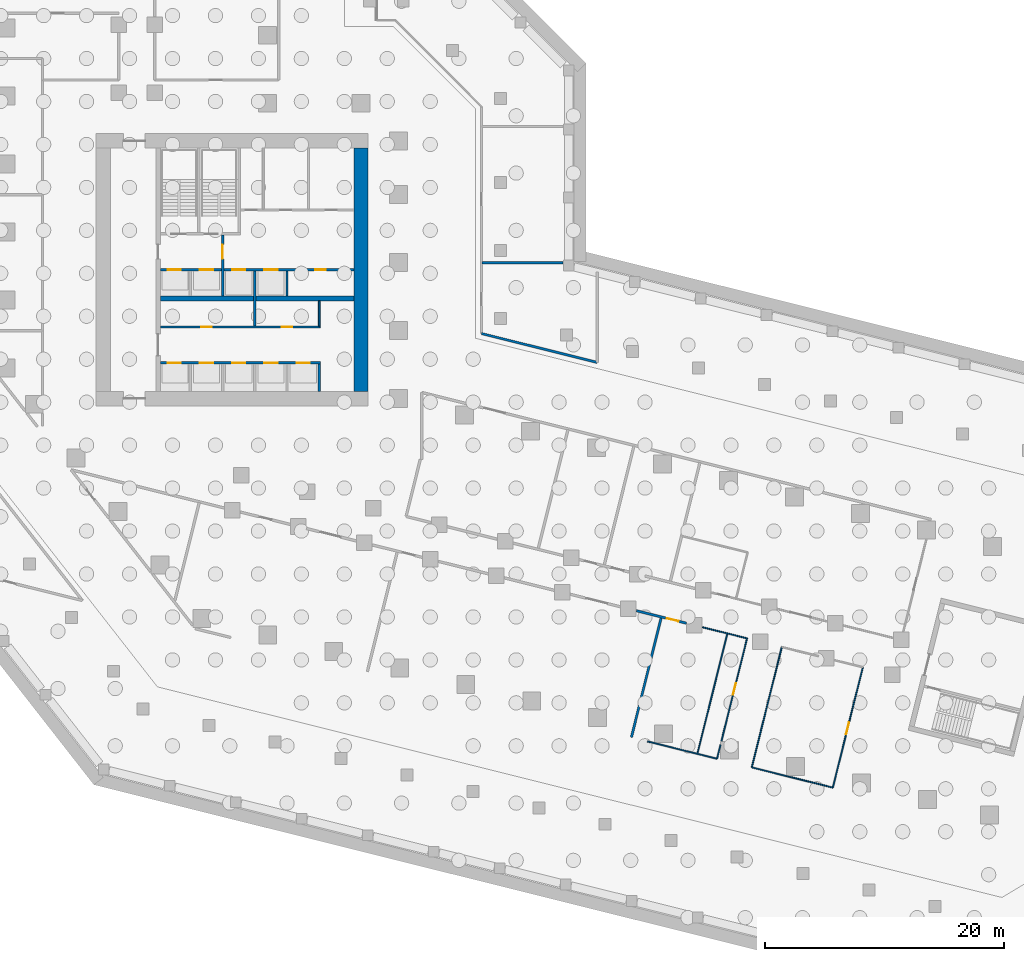
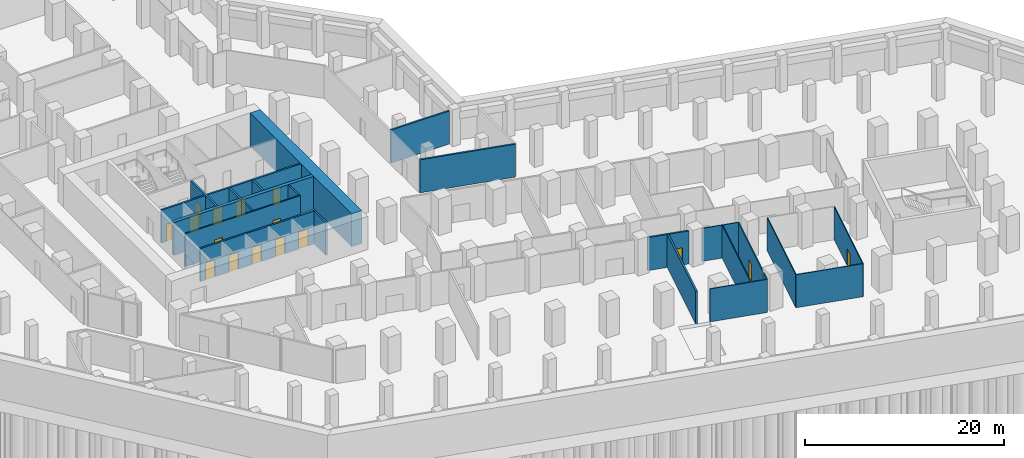
# One storey, part 7 of 15: 22 walls, 16 doors, 16 openings.
"""IFC4 building model written with IfcOpenShell, lengths in metres."""

from ifc_helpers import new_model, si_unit, direction, frame, frame_2d, origin, place, context, subcontext, project, spatial, rectangle, extrude, material, layer, layer_set, type_object, element, fill, save


model = new_model("IFC4")

# Units and contexts
model_context = context("Model", 3, precision=1e-05, world=origin(), true_north=direction((0.0, 1.0)))
body_context = subcontext(model_context, "Body", "Model", "MODEL_VIEW")
ifc_project = project(units=[si_unit("LENGTHUNIT", "METRE"), si_unit("AREAUNIT", "SQUARE_METRE"), si_unit("VOLUMEUNIT", "CUBIC_METRE"), si_unit("PLANEANGLEUNIT", "RADIAN"), si_unit("MASSUNIT", "GRAM", prefix="KILO")], contexts=[model_context])

# Site, building, storey
site_placement = place(None, origin())
site = spatial("IfcSite", under=ifc_project, at=site_placement, CompositionType="ELEMENT")
building_placement = place(site_placement, origin())
building = spatial("IfcBuilding", under=site, at=building_placement, Name="Meshkara Civic Tower", CompositionType="ELEMENT")
storey_placement = place(building_placement, frame((0.0, 0.0, -9.0)))
storey = spatial("IfcBuildingStorey", under=building, at=storey_placement, Name="B2", CompositionType="ELEMENT", Elevation=-9.0)

# Wall, openings, doors
ifc_material_1 = material(Name="Blockwork", Category="masonry")
ifc_layer_1 = layer(ifc_material_1, 0.14990234375)
ifc_layer_set_1 = layer_set([ifc_layer_1], Name="Core partition 150")
wall_type_1 = type_object("IfcWallType", Name="Core partition 150", PredefinedType="PARTITIONING", material=ifc_layer_set_1)
wall_1_placement = place(storey_placement, frame((13.39990234375, 20.699951171875, 0.0), z_axis=(0.0, 0.0, 1.0), x_axis=(1.0, 0.0, 0.0)))
wall_1 = element("IfcWall", 1, at=wall_1_placement, inside=storey, type_object=wall_type_1, Name="B2-C006", PredefinedType="PARTITIONING", context=body_context, shape_type="SweptSolid", body=[
    extrude(rectangle(XDim=13.375, YDim=0.14990234375, at=frame_2d((6.6875, 0.0))), origin(), (0.0, 0.0, 1.0), 4.050048828125),
])
opening_1_placement = place(wall_1_placement, frame((3.39990234375, 0.0, 0.0)))
opening_1 = element("IfcOpeningElement", 2, at=opening_1_placement, cuts=wall_1, Name="Opening B2-K010", PredefinedType="OPENING", context=body_context, shape_type="SweptSolid", body=[
    extrude(rectangle(XDim=0.89990234375, YDim=2.10009765625, at=frame_2d((0.449951171875, 1.050048828125))), frame((0.0, 0.0849609375, 0.0), z_axis=(0.0, -1.0, 0.0), x_axis=(1.0, 0.0, 0.0)), (0.0, 0.0, 1.0), 0.169921875),
])
opening_2_placement = place(wall_1_placement, frame((10.14990234375, 0.0, 0.0)))
opening_2 = element("IfcOpeningElement", 3, at=opening_2_placement, cuts=wall_1, Name="Opening B2-K011", PredefinedType="OPENING", context=body_context, shape_type="SweptSolid", body=[
    extrude(rectangle(XDim=0.89990234375, YDim=2.10009765625, at=frame_2d((0.449951171875, 1.050048828125))), frame((0.0, 0.0849609375, 0.0), z_axis=(0.0, -1.0, 0.0), x_axis=(1.0, 0.0, 0.0)), (0.0, 0.0, 1.0), 0.169921875),
])
ifc_material_2 = material(Name="Timber door leaf in steel frame", Category="steel")
door_type_1 = type_object("IfcDoorType", Name="Core room door 900", OperationType="SINGLE_SWING_LEFT", PredefinedType="DOOR", material=ifc_material_2)
door_1_placement = place(opening_1_placement, origin())
door_1 = element("IfcDoor", 4, at=door_1_placement, inside=storey, type_object=door_type_1, Name="B2-K010", OperationType="SINGLE_SWING_RIGHT", OverallHeight=2.10009765625, OverallWidth=0.89990234375, PredefinedType="DOOR", context=body_context, shape_type="SweptSolid", body=[
    extrude(rectangle(XDim=0.89990234375, YDim=2.10009765625, at=frame_2d((0.449951171875, 1.050048828125))), frame((0.0, 0.02490234375, 0.0), z_axis=(0.0, -1.0, 0.0), x_axis=(1.0, 0.0, 0.0)), (0.0, 0.0, 1.0), 0.050048828125),
])
fill(opening_1, door_1)
door_2_placement = place(opening_2_placement, origin())
door_2 = element("IfcDoor", 5, at=door_2_placement, inside=storey, type_object=door_type_1, Name="B2-K011", OperationType="SINGLE_SWING_RIGHT", OverallHeight=2.10009765625, OverallWidth=0.89990234375, PredefinedType="DOOR", context=body_context, shape_type="SweptSolid", body=[
    extrude(rectangle(XDim=0.89990234375, YDim=2.10009765625, at=frame_2d((0.449951171875, 1.050048828125))), frame((0.0, 0.02490234375, 0.0), z_axis=(0.0, -1.0, 0.0), x_axis=(1.0, 0.0, 0.0)), (0.0, 0.0, 1.0), 0.050048828125),
])
fill(opening_2, door_2)

# Walls
wall_2_placement = place(storey_placement, frame((26.699951171875, 20.77490234375, 0.0), z_axis=(0.0, 0.0, 1.0), x_axis=(0.0, 1.0, 0.0)))
element("IfcWall", 6, at=wall_2_placement, inside=storey, type_object=wall_type_1, Name="B2-C025", PredefinedType="PARTITIONING", context=body_context, shape_type="SweptSolid", body=[
    extrude(rectangle(XDim=2.125, YDim=0.14990234375, at=frame_2d((1.0625, 0.0))), origin(), (0.0, 0.0, 1.0), 4.050048828125),
])
ifc_material_3 = material(Name="Concrete C80", Category="concrete")
ifc_layer_2 = layer(ifc_material_3, 1.199951171875)
ifc_layer_set_2 = layer_set([ifc_layer_2], Name="Core ring wall 1200 C80")
wall_type_2 = type_object("IfcWallType", Name="Core ring wall 1200 C80", PredefinedType="SHEAR", material=ifc_layer_set_2)
wall_3_placement = place(storey_placement, frame((30.199951171875, 15.300048828125, 0.0), z_axis=(0.0, 0.0, 1.0), x_axis=(0.0, 1.0, 0.0)))
element("IfcWall", 7, at=wall_3_placement, inside=storey, type_object=wall_type_2, Name="B2-C004", PredefinedType="SHEAR", context=body_context, shape_type="SweptSolid", body=[
    extrude(rectangle(XDim=20.39990234375, YDim=1.199951171875, at=frame_2d((10.199951171875, 0.0))), origin(), (0.0, 0.0, 1.0), 4.050048828125),
])
ifc_material_4 = material(Name="Concrete C80", Category="concrete")
ifc_layer_3 = layer(ifc_material_4, 0.39990234375)
ifc_layer_set_3 = layer_set([ifc_layer_3], Name="Core shear wall 400 C80")
wall_type_3 = type_object("IfcWallType", Name="Core shear wall 400 C80", PredefinedType="SHEAR", material=ifc_layer_set_3)
wall_4_placement = place(storey_placement, frame((13.39990234375, 23.10009765625, 0.0), z_axis=(0.0, 0.0, 1.0), x_axis=(1.0, 0.0, 0.0)))
element("IfcWall", 8, at=wall_4_placement, inside=storey, type_object=wall_type_3, Name="B2-C007", PredefinedType="SHEAR", context=body_context, shape_type="SweptSolid", body=[
    extrude(rectangle(XDim=16.2001953125, YDim=0.39990234375, at=frame_2d((8.10009765625, 0.0))), origin(), (0.0, 0.0, 1.0), 4.050048828125),
])
ifc_material_5 = material(Name="Corridor wall 100")
ifc_layer_4 = layer(ifc_material_5, 0.10009765625)
ifc_layer_set_4 = layer_set([ifc_layer_4], Name="Corridor wall 100")
wall_type_4 = type_object("IfcWallType", Name="Corridor wall 100", PredefinedType="PARTITIONING", material=ifc_layer_set_4)
wall_5_placement = place(storey_placement, frame((54.2119140625, -14.031982421875, 0.0), z_axis=(0.0, 0.0, 1.0), x_axis=(0.970324004364, -0.241808450132, 0.0)))
element("IfcWall", 9, at=wall_5_placement, inside=storey, type_object=wall_type_4, Name="B2-R062", PredefinedType="PARTITIONING", context=body_context, shape_type="SweptSolid", body=[
    extrude(rectangle(XDim=6.00439453125, YDim=0.10009765625, at=frame_2d((3.002197265625, 0.0))), origin(), (0.0, 0.0, 1.0), 4.050048828125),
])
wall_6_placement = place(storey_placement, frame((58.80908203125, -4.4599609375, 0.0), z_axis=(0.0, 0.0, 1.0), x_axis=(0.97033198058, -0.241776441083, 0.0)))
element("IfcWall", 10, at=wall_6_placement, inside=storey, type_object=wall_type_4, Name="B2-R063", PredefinedType="PARTITIONING", context=body_context, shape_type="SweptSolid", body=[
    extrude(rectangle(XDim=3.859375, YDim=0.10009765625, at=frame_2d((1.9296875, 0.0))), origin(), (0.0, 0.0, 1.0), 4.050048828125),
])
wall_7_placement = place(storey_placement, frame((60.326904296875, -14.324951171875, 0.0), z_axis=(0.0, 0.0, 1.0), x_axis=(-0.241814119599, -0.970322591493, 0.0)))
element("IfcWall", 11, at=wall_7_placement, inside=storey, type_object=wall_type_4, Name="B2-R065", PredefinedType="PARTITIONING", context=body_context, shape_type="SweptSolid", body=[
    extrude(rectangle(XDim=1.1943359375, YDim=0.10009765625, at=frame_2d((0.59716796875, 0.0))), origin(), (0.0, 0.0, 1.0), 4.050048828125),
])

# Wall, opening, door
wall_8_placement = place(storey_placement, frame((62.553955078125, -5.39306640625, 0.0), z_axis=(0.0, 0.0, 1.0), x_axis=(-0.2419526798, -0.970288050394, 0.0)))
wall_8 = element("IfcWall", 12, at=wall_8_placement, inside=storey, type_object=wall_type_4, Name="B2-R066", PredefinedType="PARTITIONING", context=body_context, shape_type="SweptSolid", body=[
    extrude(rectangle(XDim=8.869384765625, YDim=0.10009765625, at=frame_2d((4.4345703125, 0.0))), origin(), (0.0, 0.0, 1.0), 4.050048828125),
])
opening_3_placement = place(wall_8_placement, frame((3.8798828125, 0.0, 0.0)))
opening_3 = element("IfcOpeningElement", 13, at=opening_3_placement, cuts=wall_8, Name="Opening B2-P002", PredefinedType="OPENING", context=body_context, shape_type="SweptSolid", body=[
    extrude(rectangle(XDim=1.0, YDim=2.10009765625, at=frame_2d((0.5, 1.050048828125))), frame((0.0, 0.06005859375, 0.0), z_axis=(0.0, -1.0, 0.0), x_axis=(1.0, 0.0, 0.0)), (0.0, 0.0, 1.0), 0.1201171875),
])
ifc_material_6 = material(Name="Door 1000 x 2100")
door_type_2 = type_object("IfcDoorType", Name="Door 1000 x 2100", OperationType="SINGLE_SWING_LEFT", PredefinedType="DOOR", material=ifc_material_6)
door_3_placement = place(opening_3_placement, origin())
door_3 = element("IfcDoor", 14, at=door_3_placement, inside=storey, type_object=door_type_2, Name="B2-P002", OperationType="SINGLE_SWING_RIGHT", OverallHeight=2.10009765625, OverallWidth=1.0, PredefinedType="DOOR", context=body_context, shape_type="SweptSolid", body=[
    extrude(rectangle(XDim=1.0, YDim=2.10009765625, at=frame_2d((0.5, 1.050048828125))), frame((0.0, 0.02490234375, 0.0), z_axis=(0.0, -1.0, 0.0), x_axis=(1.0, 0.0, 0.0)), (0.0, 0.0, 1.0), 0.050048828125),
])
fill(opening_3, door_3)

# Walls
wall_9_placement = place(storey_placement, frame((62.947998046875, -16.2099609375, 0.0), z_axis=(0.0, 0.0, 1.0), x_axis=(0.241933513219, 0.970292829604, 0.0)))
element("IfcWall", 15, at=wall_9_placement, inside=storey, type_object=wall_type_4, Name="B2-R067", PredefinedType="PARTITIONING", context=body_context, shape_type="SweptSolid", body=[
    extrude(rectangle(XDim=10.39990234375, YDim=0.10009765625, at=frame_2d((5.199951171875, 0.0))), origin(), (0.0, 0.0, 1.0), 4.050048828125),
])
wall_10_placement = place(storey_placement, frame((69.740966796875, -17.903076171875, 0.0), z_axis=(0.0, 0.0, 1.0), x_axis=(-0.970314570401, 0.241846303398, 0.0)))
element("IfcWall", 16, at=wall_10_placement, inside=storey, type_object=wall_type_4, Name="B2-R070", PredefinedType="PARTITIONING", context=body_context, shape_type="SweptSolid", body=[
    extrude(rectangle(XDim=7.000732421875, YDim=0.10009765625, at=frame_2d((3.50048828125, 0.0))), origin(), (0.0, 0.0, 1.0), 4.050048828125),
])

# Wall, opening, door
wall_11_placement = place(storey_placement, frame((72.257080078125, -7.81201171875, 0.0), z_axis=(0.0, 0.0, 1.0), x_axis=(-0.241933513219, -0.970292829604, 0.0)))
wall_11 = element("IfcWall", 17, at=wall_11_placement, inside=storey, type_object=wall_type_4, Name="B2-R072", PredefinedType="PARTITIONING", context=body_context, shape_type="SweptSolid", body=[
    extrude(rectangle(XDim=10.39990234375, YDim=0.10009765625, at=frame_2d((5.199951171875, 0.0))), origin(), (0.0, 0.0, 1.0), 4.050048828125),
])
opening_4_placement = place(wall_11_placement, frame((4.780029296875, 0.0, 0.0)))
opening_4 = element("IfcOpeningElement", 18, at=opening_4_placement, cuts=wall_11, Name="Opening B2-P001", PredefinedType="OPENING", context=body_context, shape_type="SweptSolid", body=[
    extrude(rectangle(XDim=1.0, YDim=2.10009765625, at=frame_2d((0.5, 1.050048828125))), frame((0.0, 0.06005859375, 0.0), z_axis=(0.0, -1.0, 0.0), x_axis=(1.0, 0.0, 0.0)), (0.0, 0.0, 1.0), 0.1201171875),
])
door_4_placement = place(opening_4_placement, origin())
door_4 = element("IfcDoor", 19, at=door_4_placement, inside=storey, type_object=door_type_2, Name="B2-P001", OperationType="SINGLE_SWING_RIGHT", OverallHeight=2.10009765625, OverallWidth=1.0, PredefinedType="DOOR", context=body_context, shape_type="SweptSolid", body=[
    extrude(rectangle(XDim=1.0, YDim=2.10009765625, at=frame_2d((0.5, 1.050048828125))), frame((0.0, 0.02490234375, 0.0), z_axis=(0.0, -1.0, 0.0), x_axis=(1.0, 0.0, 0.0)), (0.0, 0.0, 1.0), 0.050048828125),
])
fill(opening_4, door_4)

# Wall
ifc_material_7 = material(Name="Fire-rated wall 200")
ifc_layer_5 = layer(ifc_material_7, 0.199951171875)
ifc_layer_set_5 = layer_set([ifc_layer_5], Name="Fire-rated wall 200")
wall_type_5 = type_object("IfcWallType", Name="Fire-rated wall 200", PredefinedType="PARTITIONING", material=ifc_layer_set_5)
wall_12_placement = place(storey_placement, frame((50.0, 17.73095703125, 0.0), z_axis=(0.0, 0.0, 1.0), x_axis=(-0.970307482214, 0.241874740224, 0.0)))
element("IfcWall", 20, at=wall_12_placement, inside=storey, type_object=wall_type_5, Name="B2-R058", PredefinedType="PARTITIONING", context=body_context, shape_type="SweptSolid", body=[
    extrude(rectangle(XDim=9.996826171875, YDim=0.199951171875, at=frame_2d((4.99853515625, 0.0))), origin(), (0.0, 0.0, 1.0), 4.050048828125),
])

# Wall, opening, door
wall_13_placement = place(storey_placement, frame((53.278076171875, -3.0810546875, 0.0), z_axis=(0.0, 0.0, 1.0), x_axis=(0.970295255208, -0.241923784941, 0.0)))
wall_13 = element("IfcWall", 21, at=wall_13_placement, inside=storey, type_object=wall_type_5, Name="B2-R060", PredefinedType="PARTITIONING", context=body_context, shape_type="SweptSolid", body=[
    extrude(rectangle(XDim=4.3193359375, YDim=0.199951171875, at=frame_2d((2.15966796875, 0.0))), origin(), (0.0, 0.0, 1.0), 4.050048828125),
])
opening_5_placement = place(wall_13_placement, frame((2.638916015625, 0.0, 0.0)))
opening_5 = element("IfcOpeningElement", 22, at=opening_5_placement, cuts=wall_13, Name="Opening B2-P005", PredefinedType="OPENING", context=body_context, shape_type="SweptSolid", body=[
    extrude(rectangle(XDim=1.0, YDim=2.10009765625, at=frame_2d((0.5, 1.050048828125))), frame((0.0, 0.10986328125, 0.0), z_axis=(0.0, -1.0, 0.0), x_axis=(1.0, 0.0, 0.0)), (0.0, 0.0, 1.0), 0.219970703125),
])
door_5_placement = place(opening_5_placement, origin())
door_5 = element("IfcDoor", 23, at=door_5_placement, inside=storey, type_object=door_type_2, Name="B2-P005", OperationType="SINGLE_SWING_RIGHT", OverallHeight=2.10009765625, OverallWidth=1.0, PredefinedType="DOOR", context=body_context, shape_type="SweptSolid", body=[
    extrude(rectangle(XDim=1.0, YDim=2.10009765625, at=frame_2d((0.5, 1.050048828125))), frame((0.0, 0.02490234375, 0.0), z_axis=(0.0, -1.0, 0.0), x_axis=(1.0, 0.0, 0.0)), (0.0, 0.0, 1.0), 0.050048828125),
])
fill(opening_5, door_5)

# Walls
wall_14_placement = place(storey_placement, frame((47.1298828125, 26.10009765625, 0.0), z_axis=(0.0, 0.0, 1.0), x_axis=(-1.0, 0.0, 0.0)))
element("IfcWall", 24, at=wall_14_placement, inside=storey, type_object=wall_type_5, Name="B2-R084", PredefinedType="PARTITIONING", context=body_context, shape_type="SweptSolid", body=[
    extrude(rectangle(XDim=6.77978515625, YDim=0.199951171875, at=frame_2d((3.389892578125, 0.0))), origin(), (0.0, 0.0, 1.0), 4.050048828125),
])
wall_15_placement = place(storey_placement, frame((52.85693359375, -13.694091796875, 0.0), z_axis=(0.0, 0.0, 1.0), x_axis=(0.241958331182, 0.970286641139, 0.0)))
element("IfcWall", 25, at=wall_15_placement, inside=storey, type_object=wall_type_5, Name="B2-R087", PredefinedType="PARTITIONING", context=body_context, shape_type="SweptSolid", body=[
    extrude(rectangle(XDim=10.349609375, YDim=0.199951171875, at=frame_2d((5.1748046875, 0.0))), origin(), (0.0, 0.0, 1.0), 4.050048828125),
])
ifc_material_8 = material(Name="Partition 100")
ifc_layer_6 = layer(ifc_material_8, 0.10009765625)
ifc_layer_set_6 = layer_set([ifc_layer_6], Name="Partition 100")
wall_type_6 = type_object("IfcWallType", Name="Partition 100", PredefinedType="PARTITIONING", material=ifc_layer_set_6)
wall_16_placement = place(storey_placement, frame((58.39990234375, -15.02392578125, 0.0), z_axis=(0.0, 0.0, 1.0), x_axis=(0.241983392409, 0.970280391329, 0.0)))
element("IfcWall", 26, at=wall_16_placement, inside=storey, type_object=wall_type_6, Name="B2-R089", PredefinedType="PARTITIONING", context=body_context, shape_type="SweptSolid", body=[
    extrude(rectangle(XDim=10.299072265625, YDim=0.10009765625, at=frame_2d((5.1494140625, 0.0))), origin(), (0.0, 0.0, 1.0), 4.050048828125),
])

# Wall, openings, doors
ifc_material_9 = material(Name="Concrete C40/50", Category="concrete")
ifc_layer_7 = layer(ifc_material_9, 0.199951171875)
ifc_layer_set_7 = layer_set([ifc_layer_7], Name="Shaft wall 200 C40/50")
wall_type_7 = type_object("IfcWallType", Name="Shaft wall 200 C40/50", PredefinedType="SOLIDWALL", material=ifc_layer_set_7)
wall_17_placement = place(storey_placement, frame((13.39990234375, 17.699951171875, 0.0), z_axis=(0.0, 0.0, 1.0), x_axis=(1.0, 0.0, 0.0)))
wall_17 = element("IfcWall", 27, at=wall_17_placement, inside=storey, type_object=wall_type_7, Name="B2-C005", PredefinedType="SOLIDWALL", context=body_context, shape_type="SweptSolid", body=[
    extrude(rectangle(XDim=13.400146484375, YDim=0.199951171875, at=frame_2d((6.7001953125, 0.0))), origin(), (0.0, 0.0, 1.0), 4.050048828125),
])
opening_6_placement = place(wall_17_placement, frame((0.60009765625, 0.0, 0.0)))
opening_6 = element("IfcOpeningElement", 28, at=opening_6_placement, cuts=wall_17, Name="Opening B2-K001", PredefinedType="OPENING", context=body_context, shape_type="SweptSolid", body=[
    extrude(rectangle(XDim=1.10009765625, YDim=2.10009765625, at=frame_2d((0.550048828125, 1.050048828125))), frame((0.0, 0.10986328125, 0.0), z_axis=(0.0, -1.0, 0.0), x_axis=(1.0, 0.0, 0.0)), (0.0, 0.0, 1.0), 0.219970703125),
])
opening_7_placement = place(wall_17_placement, frame((3.300048828125, 0.0, 0.0)))
opening_7 = element("IfcOpeningElement", 29, at=opening_7_placement, cuts=wall_17, Name="Opening B2-K002", PredefinedType="OPENING", context=body_context, shape_type="SweptSolid", body=[
    extrude(rectangle(XDim=1.10009765625, YDim=2.10009765625, at=frame_2d((0.550048828125, 1.050048828125))), frame((0.0, 0.10986328125, 0.0), z_axis=(0.0, -1.0, 0.0), x_axis=(1.0, 0.0, 0.0)), (0.0, 0.0, 1.0), 0.219970703125),
])
opening_8_placement = place(wall_17_placement, frame((6.0, 0.0, 0.0)))
opening_8 = element("IfcOpeningElement", 30, at=opening_8_placement, cuts=wall_17, Name="Opening B2-K003", PredefinedType="OPENING", context=body_context, shape_type="SweptSolid", body=[
    extrude(rectangle(XDim=1.10009765625, YDim=2.10009765625, at=frame_2d((0.550048828125, 1.050048828125))), frame((0.0, 0.10986328125, 0.0), z_axis=(0.0, -1.0, 0.0), x_axis=(1.0, 0.0, 0.0)), (0.0, 0.0, 1.0), 0.219970703125),
])
opening_9_placement = place(wall_17_placement, frame((8.699951171875, 0.0, 0.0)))
opening_9 = element("IfcOpeningElement", 31, at=opening_9_placement, cuts=wall_17, Name="Opening B2-K004", PredefinedType="OPENING", context=body_context, shape_type="SweptSolid", body=[
    extrude(rectangle(XDim=1.10009765625, YDim=2.10009765625, at=frame_2d((0.550048828125, 1.050048828125))), frame((0.0, 0.10986328125, 0.0), z_axis=(0.0, -1.0, 0.0), x_axis=(1.0, 0.0, 0.0)), (0.0, 0.0, 1.0), 0.219970703125),
])
opening_10_placement = place(wall_17_placement, frame((11.39990234375, 0.0, 0.0)))
opening_10 = element("IfcOpeningElement", 32, at=opening_10_placement, cuts=wall_17, Name="Opening B2-K005", PredefinedType="OPENING", context=body_context, shape_type="SweptSolid", body=[
    extrude(rectangle(XDim=1.10009765625, YDim=2.10009765625, at=frame_2d((0.550048828125, 1.050048828125))), frame((0.0, 0.10986328125, 0.0), z_axis=(0.0, -1.0, 0.0), x_axis=(1.0, 0.0, 0.0)), (0.0, 0.0, 1.0), 0.219970703125),
])
ifc_material_10 = material(Name="Stainless steel landing door", Category="steel")
door_type_3 = type_object("IfcDoorType", Name="Lift landing door 1100", OperationType="SLIDING_TO_LEFT", PredefinedType="DOOR", material=ifc_material_10)
door_6_placement = place(opening_6_placement, origin())
door_6 = element("IfcDoor", 33, at=door_6_placement, inside=storey, type_object=door_type_3, Name="B2-K001", OperationType="SLIDING_TO_LEFT", OverallHeight=2.10009765625, OverallWidth=1.10009765625, PredefinedType="DOOR", context=body_context, shape_type="SweptSolid", body=[
    extrude(rectangle(XDim=1.10009765625, YDim=2.10009765625, at=frame_2d((0.550048828125, 1.050048828125))), frame((0.0, 0.02490234375, 0.0), z_axis=(0.0, -1.0, 0.0), x_axis=(1.0, 0.0, 0.0)), (0.0, 0.0, 1.0), 0.050048828125),
])
fill(opening_6, door_6)
door_7_placement = place(opening_7_placement, origin())
door_7 = element("IfcDoor", 34, at=door_7_placement, inside=storey, type_object=door_type_3, Name="B2-K002", OperationType="SLIDING_TO_LEFT", OverallHeight=2.10009765625, OverallWidth=1.10009765625, PredefinedType="DOOR", context=body_context, shape_type="SweptSolid", body=[
    extrude(rectangle(XDim=1.10009765625, YDim=2.10009765625, at=frame_2d((0.550048828125, 1.050048828125))), frame((0.0, 0.02490234375, 0.0), z_axis=(0.0, -1.0, 0.0), x_axis=(1.0, 0.0, 0.0)), (0.0, 0.0, 1.0), 0.050048828125),
])
fill(opening_7, door_7)
door_8_placement = place(opening_8_placement, origin())
door_8 = element("IfcDoor", 35, at=door_8_placement, inside=storey, type_object=door_type_3, Name="B2-K003", OperationType="SLIDING_TO_LEFT", OverallHeight=2.10009765625, OverallWidth=1.10009765625, PredefinedType="DOOR", context=body_context, shape_type="SweptSolid", body=[
    extrude(rectangle(XDim=1.10009765625, YDim=2.10009765625, at=frame_2d((0.550048828125, 1.050048828125))), frame((0.0, 0.02490234375, 0.0), z_axis=(0.0, -1.0, 0.0), x_axis=(1.0, 0.0, 0.0)), (0.0, 0.0, 1.0), 0.050048828125),
])
fill(opening_8, door_8)
door_9_placement = place(opening_9_placement, origin())
door_9 = element("IfcDoor", 36, at=door_9_placement, inside=storey, type_object=door_type_3, Name="B2-K004", OperationType="SLIDING_TO_LEFT", OverallHeight=2.10009765625, OverallWidth=1.10009765625, PredefinedType="DOOR", context=body_context, shape_type="SweptSolid", body=[
    extrude(rectangle(XDim=1.10009765625, YDim=2.10009765625, at=frame_2d((0.550048828125, 1.050048828125))), frame((0.0, 0.02490234375, 0.0), z_axis=(0.0, -1.0, 0.0), x_axis=(1.0, 0.0, 0.0)), (0.0, 0.0, 1.0), 0.050048828125),
])
fill(opening_9, door_9)
door_10_placement = place(opening_10_placement, origin())
door_10 = element("IfcDoor", 37, at=door_10_placement, inside=storey, type_object=door_type_3, Name="B2-K005", OperationType="SLIDING_TO_LEFT", OverallHeight=2.10009765625, OverallWidth=1.10009765625, PredefinedType="DOOR", context=body_context, shape_type="SweptSolid", body=[
    extrude(rectangle(XDim=1.10009765625, YDim=2.10009765625, at=frame_2d((0.550048828125, 1.050048828125))), frame((0.0, 0.02490234375, 0.0), z_axis=(0.0, -1.0, 0.0), x_axis=(1.0, 0.0, 0.0)), (0.0, 0.0, 1.0), 0.050048828125),
])
fill(opening_10, door_10)

wall_18_placement = place(storey_placement, frame((13.39990234375, 25.5, 0.0), z_axis=(0.0, 0.0, 1.0), x_axis=(1.0, 0.0, 0.0)))
wall_18 = element("IfcWall", 38, at=wall_18_placement, inside=storey, type_object=wall_type_7, Name="B2-C008", PredefinedType="SOLIDWALL", context=body_context, shape_type="SweptSolid", body=[
    extrude(rectangle(XDim=16.2001953125, YDim=0.199951171875, at=frame_2d((8.10009765625, 0.0))), origin(), (0.0, 0.0, 1.0), 4.050048828125),
])
opening_11_placement = place(wall_18_placement, frame((0.60009765625, 0.0, 0.0)))
opening_11 = element("IfcOpeningElement", 39, at=opening_11_placement, cuts=wall_18, Name="Opening B2-K006", PredefinedType="OPENING", context=body_context, shape_type="SweptSolid", body=[
    extrude(rectangle(XDim=1.10009765625, YDim=2.10009765625, at=frame_2d((0.550048828125, 1.050048828125))), frame((0.0, 0.10986328125, 0.0), z_axis=(0.0, -1.0, 0.0), x_axis=(1.0, 0.0, 0.0)), (0.0, 0.0, 1.0), 0.219970703125),
])
opening_12_placement = place(wall_18_placement, frame((3.300048828125, 0.0, 0.0)))
opening_12 = element("IfcOpeningElement", 40, at=opening_12_placement, cuts=wall_18, Name="Opening B2-K007", PredefinedType="OPENING", context=body_context, shape_type="SweptSolid", body=[
    extrude(rectangle(XDim=1.10009765625, YDim=2.10009765625, at=frame_2d((0.550048828125, 1.050048828125))), frame((0.0, 0.10986328125, 0.0), z_axis=(0.0, -1.0, 0.0), x_axis=(1.0, 0.0, 0.0)), (0.0, 0.0, 1.0), 0.219970703125),
])
opening_13_placement = place(wall_18_placement, frame((6.0, 0.0, 0.0)))
opening_13 = element("IfcOpeningElement", 41, at=opening_13_placement, cuts=wall_18, Name="Opening B2-K008", PredefinedType="OPENING", context=body_context, shape_type="SweptSolid", body=[
    extrude(rectangle(XDim=1.10009765625, YDim=2.10009765625, at=frame_2d((0.550048828125, 1.050048828125))), frame((0.0, 0.10986328125, 0.0), z_axis=(0.0, -1.0, 0.0), x_axis=(1.0, 0.0, 0.0)), (0.0, 0.0, 1.0), 0.219970703125),
])
opening_14_placement = place(wall_18_placement, frame((8.699951171875, 0.0, 0.0)))
opening_14 = element("IfcOpeningElement", 42, at=opening_14_placement, cuts=wall_18, Name="Opening B2-K009", PredefinedType="OPENING", context=body_context, shape_type="SweptSolid", body=[
    extrude(rectangle(XDim=1.10009765625, YDim=2.10009765625, at=frame_2d((0.550048828125, 1.050048828125))), frame((0.0, 0.10986328125, 0.0), z_axis=(0.0, -1.0, 0.0), x_axis=(1.0, 0.0, 0.0)), (0.0, 0.0, 1.0), 0.219970703125),
])
opening_15_placement = place(wall_18_placement, frame((12.949951171875, 0.0, 0.0)))
opening_15 = element("IfcOpeningElement", 43, at=opening_15_placement, cuts=wall_18, Name="Opening B2-K012", PredefinedType="OPENING", context=body_context, shape_type="SweptSolid", body=[
    extrude(rectangle(XDim=0.89990234375, YDim=2.10009765625, at=frame_2d((0.449951171875, 1.050048828125))), frame((0.0, 0.10986328125, 0.0), z_axis=(0.0, -1.0, 0.0), x_axis=(1.0, 0.0, 0.0)), (0.0, 0.0, 1.0), 0.219970703125),
])
door_11_placement = place(opening_15_placement, origin())
door_11 = element("IfcDoor", 44, at=door_11_placement, inside=storey, type_object=door_type_1, Name="B2-K012", OperationType="SINGLE_SWING_LEFT", OverallHeight=2.10009765625, OverallWidth=0.89990234375, PredefinedType="DOOR", context=body_context, shape_type="SweptSolid", body=[
    extrude(rectangle(XDim=0.89990234375, YDim=2.10009765625, at=frame_2d((0.449951171875, 1.050048828125))), frame((0.0, 0.02490234375, 0.0), z_axis=(0.0, -1.0, 0.0), x_axis=(1.0, 0.0, 0.0)), (0.0, 0.0, 1.0), 0.050048828125),
])
fill(opening_15, door_11)
door_12_placement = place(opening_11_placement, origin())
door_12 = element("IfcDoor", 45, at=door_12_placement, inside=storey, type_object=door_type_3, Name="B2-K006", OperationType="SLIDING_TO_LEFT", OverallHeight=2.10009765625, OverallWidth=1.10009765625, PredefinedType="DOOR", context=body_context, shape_type="SweptSolid", body=[
    extrude(rectangle(XDim=1.10009765625, YDim=2.10009765625, at=frame_2d((0.550048828125, 1.050048828125))), frame((0.0, 0.02490234375, 0.0), z_axis=(0.0, -1.0, 0.0), x_axis=(1.0, 0.0, 0.0)), (0.0, 0.0, 1.0), 0.050048828125),
])
fill(opening_11, door_12)
door_13_placement = place(opening_12_placement, origin())
door_13 = element("IfcDoor", 46, at=door_13_placement, inside=storey, type_object=door_type_3, Name="B2-K007", OperationType="SLIDING_TO_LEFT", OverallHeight=2.10009765625, OverallWidth=1.10009765625, PredefinedType="DOOR", context=body_context, shape_type="SweptSolid", body=[
    extrude(rectangle(XDim=1.10009765625, YDim=2.10009765625, at=frame_2d((0.550048828125, 1.050048828125))), frame((0.0, 0.02490234375, 0.0), z_axis=(0.0, -1.0, 0.0), x_axis=(1.0, 0.0, 0.0)), (0.0, 0.0, 1.0), 0.050048828125),
])
fill(opening_12, door_13)
door_14_placement = place(opening_13_placement, origin())
door_14 = element("IfcDoor", 47, at=door_14_placement, inside=storey, type_object=door_type_3, Name="B2-K008", OperationType="SLIDING_TO_LEFT", OverallHeight=2.10009765625, OverallWidth=1.10009765625, PredefinedType="DOOR", context=body_context, shape_type="SweptSolid", body=[
    extrude(rectangle(XDim=1.10009765625, YDim=2.10009765625, at=frame_2d((0.550048828125, 1.050048828125))), frame((0.0, 0.02490234375, 0.0), z_axis=(0.0, -1.0, 0.0), x_axis=(1.0, 0.0, 0.0)), (0.0, 0.0, 1.0), 0.050048828125),
])
fill(opening_13, door_14)
door_15_placement = place(opening_14_placement, origin())
door_15 = element("IfcDoor", 48, at=door_15_placement, inside=storey, type_object=door_type_3, Name="B2-K009", OperationType="SLIDING_TO_LEFT", OverallHeight=2.10009765625, OverallWidth=1.10009765625, PredefinedType="DOOR", context=body_context, shape_type="SweptSolid", body=[
    extrude(rectangle(XDim=1.10009765625, YDim=2.10009765625, at=frame_2d((0.550048828125, 1.050048828125))), frame((0.0, 0.02490234375, 0.0), z_axis=(0.0, -1.0, 0.0), x_axis=(1.0, 0.0, 0.0)), (0.0, 0.0, 1.0), 0.050048828125),
])
fill(opening_14, door_15)

# Wall, opening, door
wall_19_placement = place(storey_placement, frame((18.60009765625, 23.300048828125, 0.0), z_axis=(0.0, 0.0, 1.0), x_axis=(0.0, 1.0, 0.0)))
wall_19 = element("IfcWall", 49, at=wall_19_placement, inside=storey, type_object=wall_type_7, Name="B2-C016", PredefinedType="SOLIDWALL", context=body_context, shape_type="SweptSolid", body=[
    extrude(rectangle(XDim=5.099853515625, YDim=0.199951171875, at=frame_2d((2.5498046875, 0.0))), origin(), (0.0, 0.0, 1.0), 4.050048828125),
])
opening_16_placement = place(wall_19_placement, frame((3.10009765625, 0.0, 0.0)))
opening_16 = element("IfcOpeningElement", 50, at=opening_16_placement, cuts=wall_19, Name="Opening B2-K020", PredefinedType="OPENING", context=body_context, shape_type="SweptSolid", body=[
    extrude(rectangle(XDim=1.199951171875, YDim=2.10009765625, at=frame_2d((0.60009765625, 1.050048828125))), frame((0.0, 0.10986328125, 0.0), z_axis=(0.0, -1.0, 0.0), x_axis=(1.0, 0.0, 0.0)), (0.0, 0.0, 1.0), 0.219970703125),
])
ifc_material_11 = material(Name="Fire-rated door leaf in steel frame", Category="steel")
door_type_4 = type_object("IfcDoorType", Name="Fire-fighting lobby door 1200 EI 120", OperationType="SINGLE_SWING_LEFT", PredefinedType="DOOR", material=ifc_material_11)
door_16_placement = place(opening_16_placement, origin())
door_16 = element("IfcDoor", 51, at=door_16_placement, inside=storey, type_object=door_type_4, Name="B2-K020", OperationType="SINGLE_SWING_RIGHT", OverallHeight=2.10009765625, OverallWidth=1.199951171875, PredefinedType="DOOR", context=body_context, shape_type="SweptSolid", body=[
    extrude(rectangle(XDim=1.199951171875, YDim=2.10009765625, at=frame_2d((0.60009765625, 1.050048828125))), frame((0.0, 0.02490234375, 0.0), z_axis=(0.0, -1.0, 0.0), x_axis=(1.0, 0.0, 0.0)), (0.0, 0.0, 1.0), 0.050048828125),
])
fill(opening_16, door_16)

# Walls
wall_20_placement = place(storey_placement, frame((21.300048828125, 20.77490234375, 0.0), z_axis=(0.0, 0.0, 1.0), x_axis=(0.0, 1.0, 0.0)))
element("IfcWall", 52, at=wall_20_placement, inside=storey, type_object=wall_type_7, Name="B2-C019", PredefinedType="SOLIDWALL", context=body_context, shape_type="SweptSolid", body=[
    extrude(rectangle(XDim=4.625, YDim=0.199951171875, at=frame_2d((2.3125, 0.0))), origin(), (0.0, 0.0, 1.0), 4.050048828125),
])
wall_21_placement = place(storey_placement, frame((24.0, 23.300048828125, 0.0), z_axis=(0.0, 0.0, 1.0), x_axis=(0.0, 1.0, 0.0)))
element("IfcWall", 53, at=wall_21_placement, inside=storey, type_object=wall_type_7, Name="B2-C022", PredefinedType="SOLIDWALL", context=body_context, shape_type="SweptSolid", body=[
    extrude(rectangle(XDim=2.099853515625, YDim=0.199951171875, at=frame_2d((1.0498046875, 0.0))), origin(), (0.0, 0.0, 1.0), 4.050048828125),
])
wall_22_placement = place(storey_placement, frame((26.699951171875, 15.300048828125, 0.0), z_axis=(0.0, 0.0, 1.0), x_axis=(0.0, 1.0, 0.0)))
element("IfcWall", 54, at=wall_22_placement, inside=storey, type_object=wall_type_7, Name="B2-C024", PredefinedType="SOLIDWALL", context=body_context, shape_type="SweptSolid", body=[
    extrude(rectangle(XDim=2.300048828125, YDim=0.199951171875, at=frame_2d((1.14990234375, 0.0))), origin(), (0.0, 0.0, 1.0), 4.050048828125),
])

save(model, "model.ifc")
